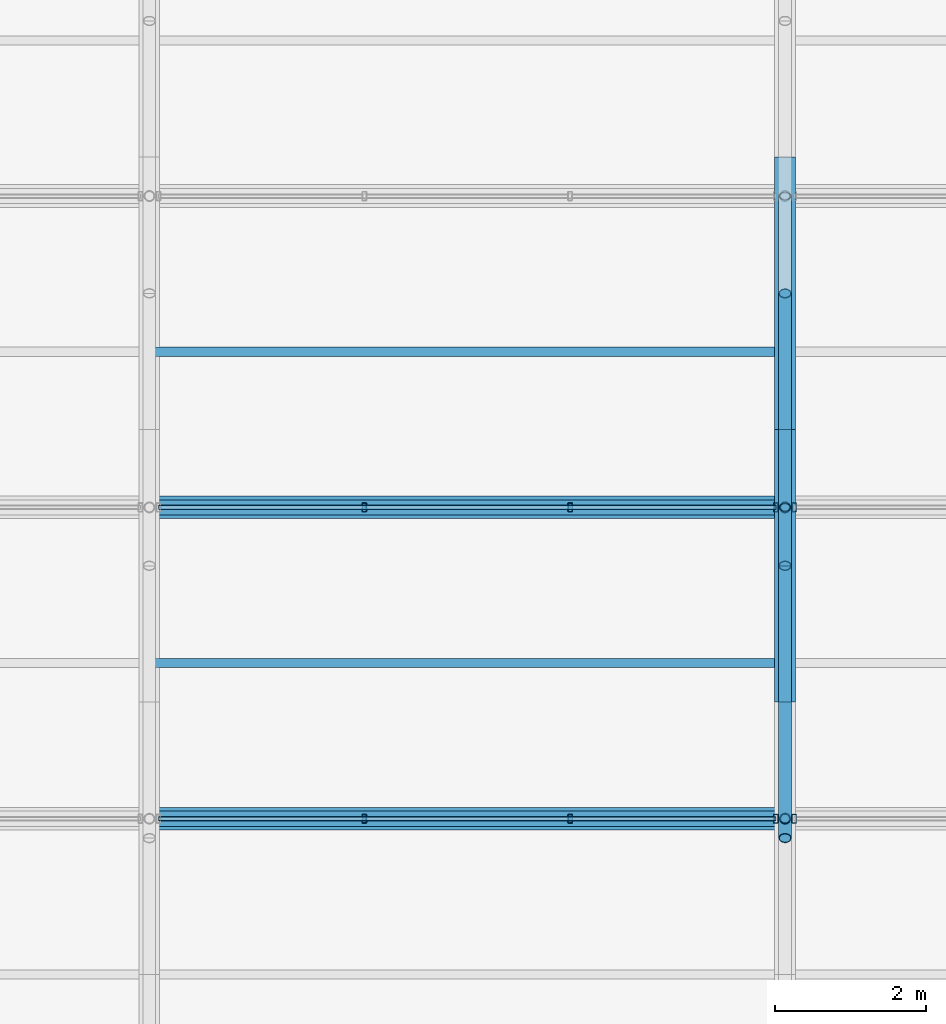
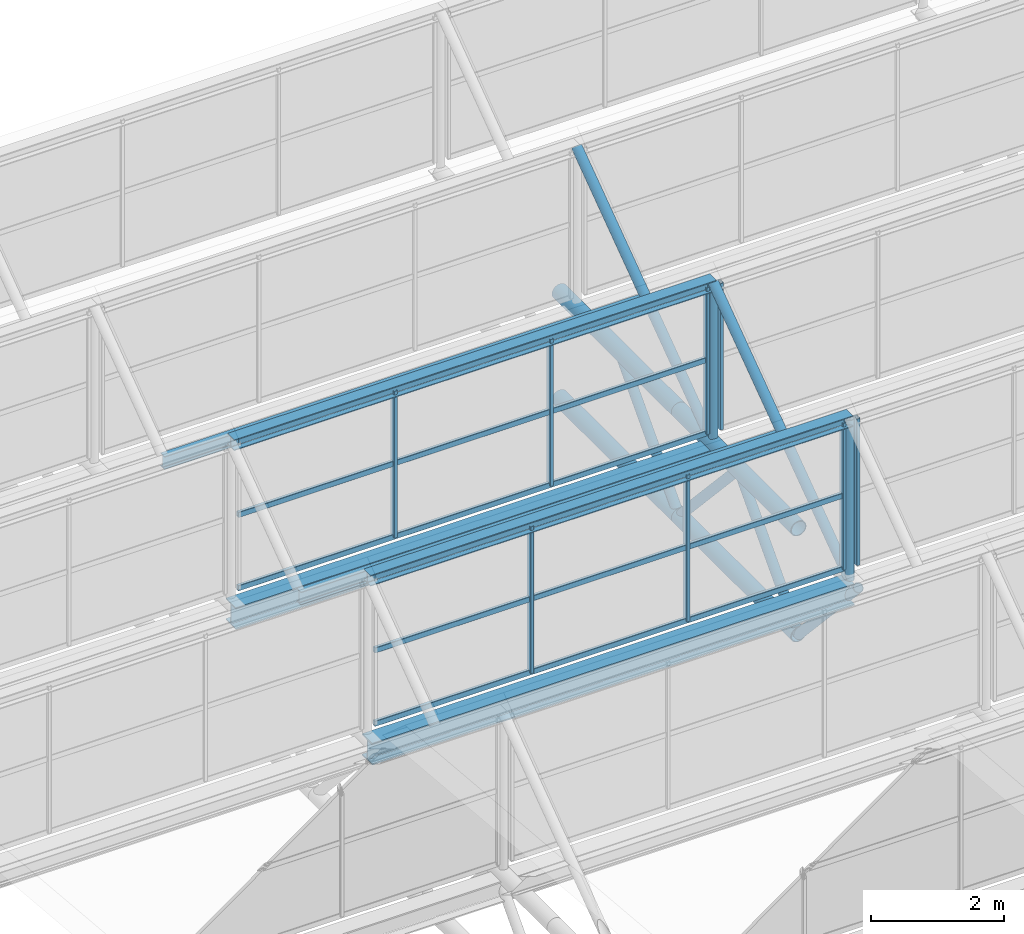
# One storey, part 64 of 134: 26 members, 6 beams, 4 elements without a shape of their own.
"""IFC4 building model written with IfcOpenShell, lengths in metres."""

from ifc_helpers import new_model, si_unit, derived_unit, direction, frame, origin, origin_2d, place, context, subcontext, project, spatial, hollow_rectangle, hollow_circle, i_section, extrude, material, material_profile, profile_set, type_object, element, aggregate, save


model = new_model("IFC4")

# Units and contexts
model_context = context("Model", 3, precision=1e-05, world=origin(), true_north=direction((0.0, 1.0)))
body_context = subcontext(model_context, "Body", "Model", "MODEL_VIEW")
ifc_project = project(units=[si_unit("LENGTHUNIT", "METRE"), si_unit("AREAUNIT", "SQUARE_METRE"), si_unit("VOLUMEUNIT", "CUBIC_METRE"), si_unit("PLANEANGLEUNIT", "RADIAN"), si_unit("MASSUNIT", "GRAM", prefix="KILO"), derived_unit("THERMALTRANSMITTANCEUNIT", [(si_unit("MASSUNIT", "GRAM", prefix="KILO"), 1), (si_unit("TIMEUNIT", "SECOND"), -3), (si_unit("THERMODYNAMICTEMPERATUREUNIT", "KELVIN"), -1)])], contexts=[model_context])

# Site, building, storey
site_placement = place(None, origin())
site = spatial("IfcSite", under=ifc_project, at=site_placement, CompositionType="ELEMENT")
building_placement = place(site_placement, origin())
building = spatial("IfcBuilding", under=site, at=building_placement, Name="Kharveza Railside Sports Centre", CompositionType="ELEMENT")
storey_placement = place(building_placement, frame((0.0, 0.0, 12.89990234375)))
storey = spatial("IfcBuildingStorey", under=building, at=storey_placement, Name="L03", CompositionType="ELEMENT", Elevation=12.89990234375)

# Beams
ifc_material_1 = material(Name="Steel S355J2", Category="steel")
ifc_material_profile_1 = material_profile(ifc_material_1, i_section(OverallWidth=0.300048828125, OverallDepth=0.39990234375, WebThickness=0.013427734375, FlangeThickness=0.02392578125, FilletRadius=0.027099609375, at=origin_2d()), Name="HEB 400")
ifc_profile_set_1 = profile_set([ifc_material_profile_1], Name="Steel S355J2")
beam_type_1 = type_object("IfcBeamType", Name="BM-G07", PredefinedType="T_BEAM", material=ifc_profile_set_1)
for number, where, z_axis, x_axis, name in (
    (1, (109.199951171875, 95.656982421875, 1.760009765625), (1.0, 0.0, 0.0), (0.0, 1.0, 0.0), "BM-V2SAW-VAL-5-3"),
    (2, (109.199951171875, 99.771484375, 1.760009765625), (1.0, 0.0, 0.0), (0.0, 1.0, 0.0), "BM-V2SAW-VAL-6-3"),
):
    element("IfcBeam", number, at=place(storey_placement, frame(where, z_axis=z_axis, x_axis=x_axis)), inside=storey, type_object=beam_type_1, Name=name, PredefinedType="T_BEAM", context=body_context, shape_type="SweptSolid", body=[
        extrude(i_section(OverallWidth=0.300048828125, OverallDepth=0.39990234375, WebThickness=0.013427734375, FlangeThickness=0.02392578125, FilletRadius=0.027099609375, at=origin_2d()), origin(), (0.0, 0.0, 1.0), 8.400146484375),
    ])
ifc_material_2 = material(Name="Steel S275JR", Category="steel")
ifc_material_profile_2 = material_profile(ifc_material_2, i_section(OverallWidth=0.1201171875, OverallDepth=0.239990234375, WebThickness=0.006103515625, FlangeThickness=0.009765625, FilletRadius=0.014892578125, at=origin_2d()), Name="IPE 240")
ifc_profile_set_2 = profile_set([ifc_material_profile_2], Name="Steel S275JR")
beam_type_2 = type_object("IfcBeamType", Name="BM-J01", PredefinedType="JOIST", material=ifc_profile_set_2)
for number, where, z_axis, x_axis, name in (
    (3, (109.199951171875, 97.714111328125, 3.320068359375), (1.0, 0.0, 0.0), (0.0, 1.0, 0.0), "BM-V2SAW-PUR-5-3"),
    (4, (109.199951171875, 101.82861328125, 3.320068359375), (1.0, 0.0, 0.0), (0.0, 1.0, 0.0), "BM-V2SAW-PUR-6-3"),
):
    element("IfcBeam", number, at=place(storey_placement, frame(where, z_axis=z_axis, x_axis=x_axis)), inside=storey, type_object=beam_type_2, Name=name, PredefinedType="JOIST", context=body_context, shape_type="SweptSolid", body=[
        extrude(i_section(OverallWidth=0.1201171875, OverallDepth=0.239990234375, WebThickness=0.006103515625, FlangeThickness=0.009765625, FilletRadius=0.014892578125, at=origin_2d()), origin(), (0.0, 0.0, 1.0), 8.400146484375),
    ])
ifc_material_profile_3 = material_profile(ifc_material_2, i_section(OverallWidth=0.199951171875, OverallDepth=0.199951171875, WebThickness=0.009033203125, FlangeThickness=0.014892578125, FilletRadius=0.01806640625, at=origin_2d()), Name="HEB 200")
ifc_profile_set_3 = profile_set([ifc_material_profile_3], Name="Steel S275JR")
beam_type_3 = type_object("IfcBeamType", Name="BM-J05", PredefinedType="JOIST", material=ifc_profile_set_3)
for number, where, z_axis, x_axis, name in (
    (5, (109.199951171875, 95.656982421875, 4.920166015625), (1.0, 0.0, 0.0), (0.0, 1.0, 0.0), "BM-V2SAW-RDG-4-3"),
    (6, (109.199951171875, 99.771484375, 4.920166015625), (1.0, 0.0, 0.0), (0.0, 1.0, 0.0), "BM-V2SAW-RDG-5-3"),
):
    element("IfcBeam", number, at=place(storey_placement, frame(where, z_axis=z_axis, x_axis=x_axis)), inside=storey, type_object=beam_type_3, Name=name, PredefinedType="JOIST", context=body_context, shape_type="SweptSolid", body=[
        extrude(i_section(OverallWidth=0.199951171875, OverallDepth=0.199951171875, WebThickness=0.009033203125, FlangeThickness=0.014892578125, FilletRadius=0.01806640625, at=origin_2d()), origin(), (0.0, 0.0, 1.0), 8.400146484375),
    ])

# Curtain wall, members
ifc_material_3 = material(Name="Low-E solar-control laminated glass", Category="glass")
curtain_wall_type = type_object("IfcCurtainWallType", Name="CW-NL02", PredefinedType="NOTDEFINED", material=ifc_material_3)
curtain_wall_1_placement = place(storey_placement, origin())
curtain_wall_1 = element("IfcCurtainWall", 7, at=curtain_wall_1_placement, inside=storey, type_object=curtain_wall_type, Name="CW-V2NL-4-3", PredefinedType="NOTDEFINED")
ifc_material_4 = material(Name="Anodised aluminium 6063-T6", Category="aluminium")
ifc_material_profile_4 = material_profile(ifc_material_4, hollow_rectangle(XDim=0.06005859375, YDim=0.1201171875, WallThickness=0.0048828125, InnerFilletRadius=0.0048828125, OuterFilletRadius=0.010009765625, at=origin_2d()), Name="RHS 60x120x5.0")
ifc_profile_set_4 = profile_set([ifc_material_profile_4], Name="Anodised aluminium 6063-T6")
member_type_1 = type_object("IfcMemberType", Name="CW-ML05", PredefinedType="MULLION", material=ifc_profile_set_4)
member_1_placement = place(storey_placement, frame((112.0400390625, 95.656982421875, 2.2001953125), z_axis=(0.0, 0.0, 1.0), x_axis=(1.0, 0.0, 0.0)))
member_1 = element("IfcMember", 8, at=member_1_placement, type_object=member_type_1, Name="CW-V2NL-4-3-ML2", PredefinedType="MULLION", context=body_context, shape_type="SweptSolid", body=[
    extrude(hollow_rectangle(XDim=0.06005859375, YDim=0.1201171875, WallThickness=0.0048828125, InnerFilletRadius=0.0048828125, OuterFilletRadius=0.010009765625, at=origin_2d()), origin(), (0.0, 0.0, 1.0), 2.699951171875),
])
member_2_placement = place(storey_placement, frame((114.760009765625, 95.656982421875, 2.2001953125), z_axis=(0.0, 0.0, 1.0), x_axis=(1.0, 0.0, 0.0)))
member_2 = element("IfcMember", 9, at=member_2_placement, type_object=member_type_1, Name="CW-V2NL-4-3-ML3", PredefinedType="MULLION", context=body_context, shape_type="SweptSolid", body=[
    extrude(hollow_rectangle(XDim=0.06005859375, YDim=0.1201171875, WallThickness=0.0048828125, InnerFilletRadius=0.0048828125, OuterFilletRadius=0.010009765625, at=origin_2d()), origin(), (0.0, 0.0, 1.0), 2.699951171875),
])
member_3_placement = place(storey_placement, frame((117.47998046875, 95.656982421875, 2.2001953125), z_axis=(0.0, 0.0, 1.0), x_axis=(1.0, 0.0, 0.0)))
member_3 = element("IfcMember", 10, at=member_3_placement, type_object=member_type_1, Name="CW-V2NL-4-3-ML4", PredefinedType="MULLION", context=body_context, shape_type="SweptSolid", body=[
    extrude(hollow_rectangle(XDim=0.06005859375, YDim=0.1201171875, WallThickness=0.0048828125, InnerFilletRadius=0.0048828125, OuterFilletRadius=0.010009765625, at=origin_2d()), origin(), (0.0, 0.0, 1.0), 2.699951171875),
])

# Curtain wall, member
curtain_wall_2_placement = place(storey_placement, origin())
curtain_wall_2 = element("IfcCurtainWall", 11, at=curtain_wall_2_placement, inside=storey, type_object=curtain_wall_type, Name="CW-V2NL-4-4", PredefinedType="NOTDEFINED")
member_4_placement = place(storey_placement, frame((117.719970703125, 95.656982421875, 2.2001953125), z_axis=(0.0, 0.0, 1.0), x_axis=(1.0, 0.0, 0.0)))
member_4 = element("IfcMember", 12, at=member_4_placement, type_object=member_type_1, Name="CW-V2NL-4-4-ML1", PredefinedType="MULLION", context=body_context, shape_type="SweptSolid", body=[
    extrude(hollow_rectangle(XDim=0.06005859375, YDim=0.1201171875, WallThickness=0.0048828125, InnerFilletRadius=0.0048828125, OuterFilletRadius=0.010009765625, at=origin_2d()), origin(), (0.0, 0.0, 1.0), 2.699951171875),
])
aggregate(curtain_wall_2, [member_4])

# Curtain wall, members
curtain_wall_3_placement = place(storey_placement, origin())
curtain_wall_3 = element("IfcCurtainWall", 13, at=curtain_wall_3_placement, inside=storey, type_object=curtain_wall_type, Name="CW-V2NL-5-3", PredefinedType="NOTDEFINED")
member_5_placement = place(storey_placement, frame((112.0400390625, 99.771484375, 2.2001953125), z_axis=(0.0, 0.0, 1.0), x_axis=(1.0, 0.0, 0.0)))
member_5 = element("IfcMember", 14, at=member_5_placement, type_object=member_type_1, Name="CW-V2NL-5-3-ML2", PredefinedType="MULLION", context=body_context, shape_type="SweptSolid", body=[
    extrude(hollow_rectangle(XDim=0.06005859375, YDim=0.1201171875, WallThickness=0.0048828125, InnerFilletRadius=0.0048828125, OuterFilletRadius=0.010009765625, at=origin_2d()), origin(), (0.0, 0.0, 1.0), 2.699951171875),
])
member_6_placement = place(storey_placement, frame((114.760009765625, 99.771484375, 2.2001953125), z_axis=(0.0, 0.0, 1.0), x_axis=(1.0, 0.0, 0.0)))
member_6 = element("IfcMember", 15, at=member_6_placement, type_object=member_type_1, Name="CW-V2NL-5-3-ML3", PredefinedType="MULLION", context=body_context, shape_type="SweptSolid", body=[
    extrude(hollow_rectangle(XDim=0.06005859375, YDim=0.1201171875, WallThickness=0.0048828125, InnerFilletRadius=0.0048828125, OuterFilletRadius=0.010009765625, at=origin_2d()), origin(), (0.0, 0.0, 1.0), 2.699951171875),
])
member_7_placement = place(storey_placement, frame((117.47998046875, 99.771484375, 2.2001953125), z_axis=(0.0, 0.0, 1.0), x_axis=(1.0, 0.0, 0.0)))
member_7 = element("IfcMember", 16, at=member_7_placement, type_object=member_type_1, Name="CW-V2NL-5-3-ML4", PredefinedType="MULLION", context=body_context, shape_type="SweptSolid", body=[
    extrude(hollow_rectangle(XDim=0.06005859375, YDim=0.1201171875, WallThickness=0.0048828125, InnerFilletRadius=0.0048828125, OuterFilletRadius=0.010009765625, at=origin_2d()), origin(), (0.0, 0.0, 1.0), 2.699951171875),
])

# Curtain wall, member
curtain_wall_4_placement = place(storey_placement, origin())
curtain_wall_4 = element("IfcCurtainWall", 17, at=curtain_wall_4_placement, inside=storey, type_object=curtain_wall_type, Name="CW-V2NL-5-4", PredefinedType="NOTDEFINED")
member_8_placement = place(storey_placement, frame((117.719970703125, 99.771484375, 2.2001953125), z_axis=(0.0, 0.0, 1.0), x_axis=(1.0, 0.0, 0.0)))
member_8 = element("IfcMember", 18, at=member_8_placement, type_object=member_type_1, Name="CW-V2NL-5-4-ML1", PredefinedType="MULLION", context=body_context, shape_type="SweptSolid", body=[
    extrude(hollow_rectangle(XDim=0.06005859375, YDim=0.1201171875, WallThickness=0.0048828125, InnerFilletRadius=0.0048828125, OuterFilletRadius=0.010009765625, at=origin_2d()), origin(), (0.0, 0.0, 1.0), 2.699951171875),
])
aggregate(curtain_wall_4, [member_8])

# Member
ifc_material_profile_5 = material_profile(ifc_material_4, hollow_rectangle(XDim=0.06005859375, YDim=0.10009765625, WallThickness=0.00390625, InnerFilletRadius=0.00390625, OuterFilletRadius=0.008056640625, at=origin_2d()), Name="RHS 60x100x4.0")
ifc_profile_set_5 = profile_set([ifc_material_profile_5], Name="Anodised aluminium 6063-T6")
member_type_2 = type_object("IfcMemberType", Name="CW-TR05", PredefinedType="USERDEFINED", material=ifc_profile_set_5)
member_9_placement = place(storey_placement, frame((109.320068359375, 95.656982421875, 2.2001953125), z_axis=(1.0, 0.0, 0.0), x_axis=(0.0, 1.0, 0.0)))
member_9 = element("IfcMember", 19, at=member_9_placement, type_object=member_type_2, Name="CW-V2NL-4-3-TR1", ObjectType="TRANSOM", PredefinedType="USERDEFINED", context=body_context, shape_type="SweptSolid", body=[
    extrude(hollow_rectangle(XDim=0.06005859375, YDim=0.10009765625, WallThickness=0.00390625, InnerFilletRadius=0.00390625, OuterFilletRadius=0.008056640625, at=origin_2d()), origin(), (0.0, 0.0, 1.0), 8.159912109375),
])

member_10_placement = place(storey_placement, frame((109.320068359375, 95.656982421875, 3.550048828125), z_axis=(1.0, 0.0, 0.0), x_axis=(0.0, 1.0, 0.0)))
member_10 = element("IfcMember", 20, at=member_10_placement, type_object=member_type_2, Name="CW-V2NL-4-3-TR2", ObjectType="TRANSOM", PredefinedType="USERDEFINED", context=body_context, shape_type="SweptSolid", body=[
    extrude(hollow_rectangle(XDim=0.06005859375, YDim=0.10009765625, WallThickness=0.00390625, InnerFilletRadius=0.00390625, OuterFilletRadius=0.008056640625, at=origin_2d()), origin(), (0.0, 0.0, 1.0), 8.159912109375),
])

member_11_placement = place(storey_placement, frame((109.320068359375, 95.656982421875, 4.900146484375), z_axis=(1.0, 0.0, 0.0), x_axis=(0.0, 1.0, 0.0)))
member_11 = element("IfcMember", 21, at=member_11_placement, type_object=member_type_2, Name="CW-V2NL-4-3-TR3", ObjectType="TRANSOM", PredefinedType="USERDEFINED", context=body_context, shape_type="SweptSolid", body=[
    extrude(hollow_rectangle(XDim=0.06005859375, YDim=0.10009765625, WallThickness=0.00390625, InnerFilletRadius=0.00390625, OuterFilletRadius=0.008056640625, at=origin_2d()), origin(), (0.0, 0.0, 1.0), 8.159912109375),
])

aggregate(curtain_wall_1, [member_1, member_2, member_3, member_9, member_10, member_11])

member_12_placement = place(storey_placement, frame((109.320068359375, 99.771484375, 2.2001953125), z_axis=(1.0, 0.0, 0.0), x_axis=(0.0, 1.0, 0.0)))
member_12 = element("IfcMember", 22, at=member_12_placement, type_object=member_type_2, Name="CW-V2NL-5-3-TR1", ObjectType="TRANSOM", PredefinedType="USERDEFINED", context=body_context, shape_type="SweptSolid", body=[
    extrude(hollow_rectangle(XDim=0.06005859375, YDim=0.10009765625, WallThickness=0.00390625, InnerFilletRadius=0.00390625, OuterFilletRadius=0.008056640625, at=origin_2d()), origin(), (0.0, 0.0, 1.0), 8.159912109375),
])

member_13_placement = place(storey_placement, frame((109.320068359375, 99.771484375, 3.550048828125), z_axis=(1.0, 0.0, 0.0), x_axis=(0.0, 1.0, 0.0)))
member_13 = element("IfcMember", 23, at=member_13_placement, type_object=member_type_2, Name="CW-V2NL-5-3-TR2", ObjectType="TRANSOM", PredefinedType="USERDEFINED", context=body_context, shape_type="SweptSolid", body=[
    extrude(hollow_rectangle(XDim=0.06005859375, YDim=0.10009765625, WallThickness=0.00390625, InnerFilletRadius=0.00390625, OuterFilletRadius=0.008056640625, at=origin_2d()), origin(), (0.0, 0.0, 1.0), 8.159912109375),
])

member_14_placement = place(storey_placement, frame((109.320068359375, 99.771484375, 4.900146484375), z_axis=(1.0, 0.0, 0.0), x_axis=(0.0, 1.0, 0.0)))
member_14 = element("IfcMember", 24, at=member_14_placement, type_object=member_type_2, Name="CW-V2NL-5-3-TR3", ObjectType="TRANSOM", PredefinedType="USERDEFINED", context=body_context, shape_type="SweptSolid", body=[
    extrude(hollow_rectangle(XDim=0.06005859375, YDim=0.10009765625, WallThickness=0.00390625, InnerFilletRadius=0.00390625, OuterFilletRadius=0.008056640625, at=origin_2d()), origin(), (0.0, 0.0, 1.0), 8.159912109375),
])

aggregate(curtain_wall_3, [member_5, member_6, member_7, member_12, member_13, member_14])

# Members
ifc_material_profile_6 = material_profile(ifc_material_1, hollow_circle(Radius=0.136474609375, WallThickness=0.01416015625, at=origin_2d()), Name="CHS 273.0x14.2")
ifc_profile_set_6 = profile_set([ifc_material_profile_6], Name="Steel S355J2")
member_type_3 = type_object("IfcMemberType", Name="MB-CH03", PredefinedType="CHORD", material=ifc_profile_set_6)
for number, where, z_axis, x_axis, name in (
    (25, (117.60009765625, 97.199951171875, 0.0), (0.0, 1.0, 0.0), (-1.0, 0.0, 0.0), "MB-V2TR-BC-4-6"),
    (26, (117.60009765625, 97.199951171875, 1.9501953125), (0.0, 1.0, 0.0), (-1.0, 0.0, 0.0), "MB-V2TR-TC-4-6"),
):
    element("IfcMember", number, at=place(storey_placement, frame(where, z_axis=z_axis, x_axis=x_axis)), inside=storey, type_object=member_type_3, Name=name, PredefinedType="CHORD", context=body_context, shape_type="SweptSolid", body=[
        extrude(hollow_circle(Radius=0.136474609375, WallThickness=0.01416015625, at=origin_2d()), origin(), (0.0, 0.0, 1.0), 3.60009765625),
    ])
for number, where, z_axis, x_axis, name in (
    (27, (117.60009765625, 100.800048828125, 0.0), (0.0, 1.0, 0.0), (-1.0, 0.0, 0.0), "MB-V2TR-BC-4-7"),
    (28, (117.60009765625, 100.800048828125, 1.9501953125), (0.0, 1.0, 0.0), (-1.0, 0.0, 0.0), "MB-V2TR-TC-4-7"),
):
    element("IfcMember", number, at=place(storey_placement, frame(where, z_axis=z_axis, x_axis=x_axis)), inside=storey, type_object=member_type_3, Name=name, PredefinedType="CHORD", context=body_context, shape_type="SweptSolid", body=[
        extrude(hollow_circle(Radius=0.136474609375, WallThickness=0.01416015625, at=origin_2d()), origin(), (0.0, 0.0, 1.0), 3.599853515625),
    ])
ifc_material_profile_7 = material_profile(ifc_material_1, hollow_circle(Radius=0.084228515625, WallThickness=0.010009765625, at=origin_2d()), Name="CHS 168.3x10.0")
ifc_profile_set_7 = profile_set([ifc_material_profile_7], Name="Steel S355J2")
member_type_4 = type_object("IfcMemberType", Name="MB-ST03", PredefinedType="STRUT", material=ifc_profile_set_7)
for number, where, z_axis, x_axis, name in (
    (29, (117.60009765625, 95.39990234375, 1.9501953125), (0.0, 0.67825335715, -0.734828131956), (-1.0, 0.0, 0.0), "MB-V2TR-D2-4-5"),
    (30, (117.60009765625, 97.199951171875, 0.0), (0.0, 0.67825335715, 0.734828131956), (-1.0, 0.0, 0.0), "MB-V2TR-D1-4-6"),
    (31, (117.60009765625, 99.0, 1.9501953125), (0.0, 0.67825335715, -0.734828131956), (-1.0, 0.0, 0.0), "MB-V2TR-D2-4-6"),
    (32, (117.60009765625, 100.800048828125, 0.0), (0.0, 0.67825335715, 0.734828131956), (-1.0, 0.0, 0.0), "MB-V2TR-D1-4-7"),
):
    element("IfcMember", number, at=place(storey_placement, frame(where, z_axis=z_axis, x_axis=x_axis)), inside=storey, type_object=member_type_4, Name=name, PredefinedType="STRUT", context=body_context, shape_type="SweptSolid", body=[
        extrude(hollow_circle(Radius=0.084228515625, WallThickness=0.010009765625, at=origin_2d()), origin(), (0.0, 0.0, 1.0), 2.654052734375),
    ])
member_15_placement = place(storey_placement, frame((117.60009765625, 95.656982421875, 1.9501953125), z_axis=(0.0, 0.810830173333, 0.585281496386), x_axis=(-1.0, 0.0, 0.0)))
element("IfcMember", 33, at=member_15_placement, inside=storey, type_object=member_type_4, Name="MB-V2SAW-RFT-5-4", PredefinedType="STRUT", context=body_context, shape_type="SweptSolid", body=[
    extrude(hollow_circle(Radius=0.084228515625, WallThickness=0.010009765625, at=origin_2d()), origin(), (0.0, 0.0, 1.0), 5.074462890625),
])
member_16_placement = place(storey_placement, frame((117.60009765625, 99.771484375, 1.9501953125), z_axis=(0.0, 0.810813691418, 0.585304329225), x_axis=(-1.0, 0.0, 0.0)))
element("IfcMember", 34, at=member_16_placement, inside=storey, type_object=member_type_4, Name="MB-V2SAW-RFT-6-4", PredefinedType="STRUT", context=body_context, shape_type="SweptSolid", body=[
    extrude(hollow_circle(Radius=0.084228515625, WallThickness=0.010009765625, at=origin_2d()), origin(), (0.0, 0.0, 1.0), 5.07421875),
])
ifc_material_profile_8 = material_profile(ifc_material_1, hollow_circle(Radius=0.06982421875, WallThickness=0.008056640625, at=origin_2d()), Name="CHS 139.7x8.0")
ifc_profile_set_8 = profile_set([ifc_material_profile_8], Name="Steel S355J2")
member_type_5 = type_object("IfcMemberType", Name="MB-ST04", PredefinedType="STRUT", material=ifc_profile_set_8)
for number, where, z_axis, x_axis, name in (
    (35, (117.60009765625, 95.656982421875, 1.9501953125), (0.0, 0.0, 1.0), (1.0, 0.0, 0.0), "MB-V2SAW-PST-4-4"),
    (36, (117.60009765625, 99.771484375, 1.9501953125), (0.0, 0.0, 1.0), (1.0, 0.0, 0.0), "MB-V2SAW-PST-5-4"),
):
    element("IfcMember", number, at=place(storey_placement, frame(where, z_axis=z_axis, x_axis=x_axis)), inside=storey, type_object=member_type_5, Name=name, PredefinedType="STRUT", context=body_context, shape_type="SweptSolid", body=[
        extrude(hollow_circle(Radius=0.06982421875, WallThickness=0.008056640625, at=origin_2d()), origin(), (0.0, 0.0, 1.0), 2.969970703125),
    ])

save(model, "model.ifc")
